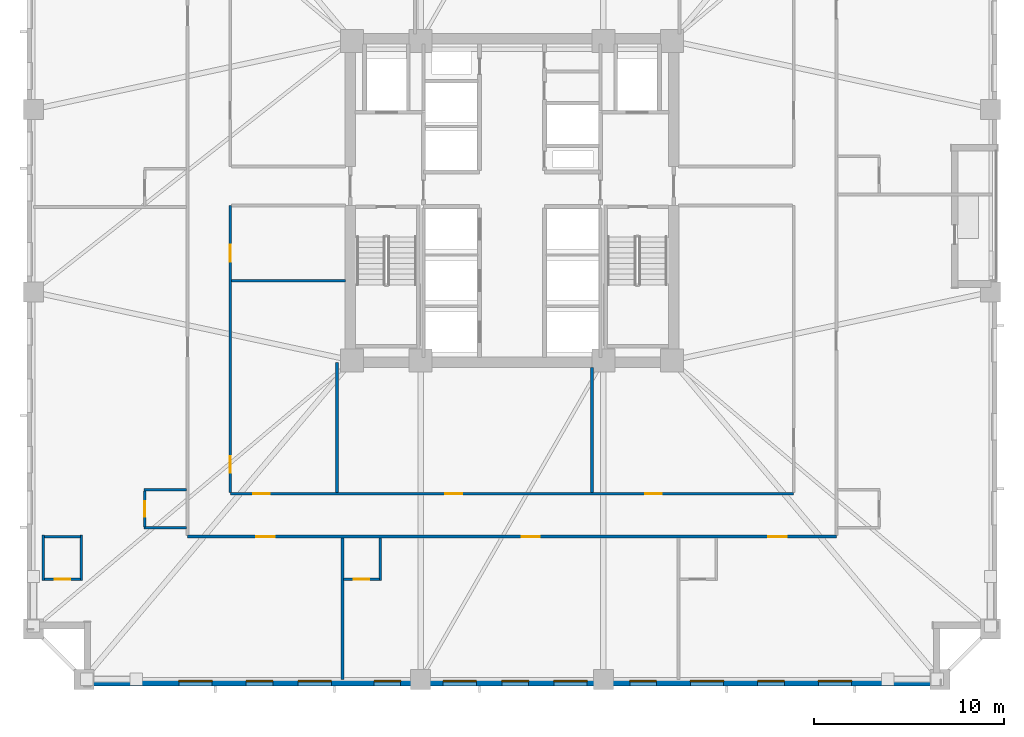
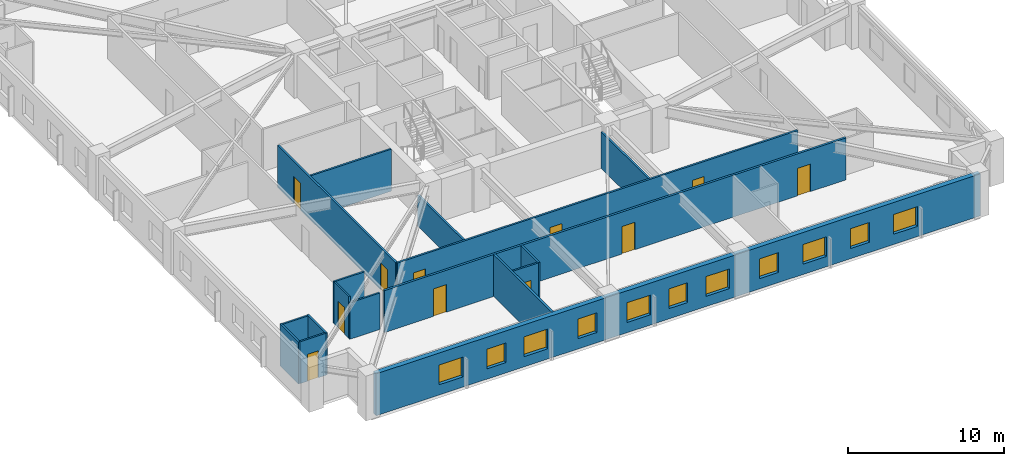
# One storey, part 2 of 11: 17 walls, 11 doors, 11 windows, 22 openings.
"""IFC4 building model written with IfcOpenShell, lengths in metres."""

from ifc_helpers import new_model, si_unit, direction, frame, frame_2d, origin, place, context, subcontext, project, spatial, rectangle, extrude, material, layer, layer_set, type_object, element, fill, save


model = new_model("IFC4")

# Units and contexts
model_context = context("Model", 3, precision=1e-05, world=origin(), true_north=direction((0.0, 1.0)))
body_context = subcontext(model_context, "Body", "Model", "MODEL_VIEW")
ifc_project = project(units=[si_unit("LENGTHUNIT", "METRE"), si_unit("AREAUNIT", "SQUARE_METRE"), si_unit("VOLUMEUNIT", "CUBIC_METRE"), si_unit("PLANEANGLEUNIT", "RADIAN"), si_unit("MASSUNIT", "GRAM", prefix="KILO")], contexts=[model_context])

# Site, building, storey
site_placement = place(None, origin())
site = spatial("IfcSite", under=ifc_project, at=site_placement, CompositionType="ELEMENT")
building_placement = place(site_placement, origin())
building = spatial("IfcBuilding", under=site, at=building_placement, Name="Cairnveth Concourse Tower", CompositionType="ELEMENT")
storey_placement = place(building_placement, frame((0.0, 0.0, 65.5)))
storey = spatial("IfcBuildingStorey", under=building, at=storey_placement, Name="L17", CompositionType="ELEMENT", Elevation=65.5)

# Wall, openings, doors
ifc_material_1 = material(Name="Gypsum Plasterboard Partition", Category="gypsum")
ifc_layer_1 = layer(ifc_material_1, 0.159912109375)
ifc_layer_set_1 = layer_set([ifc_layer_1], Name="Gypsum Plasterboard Partition")
wall_type_1 = type_object("IfcWallType", Name="ACOUSTIC PARTY WALL 180", PredefinedType="PARTITIONING", material=ifc_layer_set_1)
wall_1_placement = place(storey_placement, frame((34.949951171875, 21.35009765625, 0.0), z_axis=(0.0, 0.0, 1.0), x_axis=(1.0, 0.0, 0.0)))
wall_1 = element("IfcWall", 1, at=wall_1_placement, inside=storey, type_object=wall_type_1, Name="Interior Wall IW-L17-038", PredefinedType="PARTITIONING", context=body_context, shape_type="SweptSolid", body=[
    extrude(rectangle(XDim=34.10009765625, YDim=0.159912109375, at=frame_2d((17.050048828125, 0.0))), origin(), (0.0, 0.0, 1.0), 3.280029296875),
])
opening_1_placement = place(wall_1_placement, frame((3.61376953125, 0.0, 0.0)))
opening_1 = element("IfcOpeningElement", 2, at=opening_1_placement, cuts=wall_1, Name="Opening ID09", PredefinedType="OPENING", context=body_context, shape_type="SweptSolid", body=[
    extrude(rectangle(XDim=0.9599609375, YDim=2.14990234375, at=frame_2d((0.47998046875, 1.074951171875))), frame((0.0, 0.08984375, 0.0), z_axis=(0.0, -1.0, 0.0), x_axis=(1.0, 0.0, 0.0)), (0.0, 0.0, 1.0), 0.179931640625),
])
opening_2_placement = place(wall_1_placement, frame((17.56005859375, 0.0, 0.0)))
opening_2 = element("IfcOpeningElement", 3, at=opening_2_placement, cuts=wall_1, Name="Opening ID09", PredefinedType="OPENING", context=body_context, shape_type="SweptSolid", body=[
    extrude(rectangle(XDim=0.9599609375, YDim=2.14990234375, at=frame_2d((0.47998046875, 1.074951171875))), frame((0.0, 0.08984375, 0.0), z_axis=(0.0, -1.0, 0.0), x_axis=(1.0, 0.0, 0.0)), (0.0, 0.0, 1.0), 0.179931640625),
])
opening_3_placement = place(wall_1_placement, frame((30.51611328125, 0.0, 0.0)))
opening_3 = element("IfcOpeningElement", 4, at=opening_3_placement, cuts=wall_1, Name="Opening ID09", PredefinedType="OPENING", context=body_context, shape_type="SweptSolid", body=[
    extrude(rectangle(XDim=0.9599609375, YDim=2.14990234375, at=frame_2d((0.47998046875, 1.074951171875))), frame((0.0, 0.08984375, 0.0), z_axis=(0.0, -1.0, 0.0), x_axis=(1.0, 0.0, 0.0)), (0.0, 0.0, 1.0), 0.179931640625),
])
ifc_material_2 = material(Name="Solid Core Hardwood Timber Leaf", Category="wood")
door_type_1 = type_object("IfcDoorType", Name="HOTEL ENTRANCE DOOR 960X2150", OperationType="NOTDEFINED", PredefinedType="DOOR", material=ifc_material_2)
door_1_placement = place(opening_1_placement, origin())
door_1 = element("IfcDoor", 5, at=door_1_placement, inside=storey, type_object=door_type_1, Name="Hotel Room Door L17-S1", OperationType="SINGLE_SWING_RIGHT", OverallHeight=2.14990234375, OverallWidth=0.9599609375, PredefinedType="DOOR", context=body_context, shape_type="SweptSolid", body=[
    extrude(rectangle(XDim=0.9599609375, YDim=2.14990234375, at=frame_2d((0.47998046875, 1.074951171875))), frame((0.0, 0.02490234375, 0.0), z_axis=(0.0, -1.0, 0.0), x_axis=(1.0, 0.0, 0.0)), (0.0, 0.0, 1.0), 0.050048828125),
])
fill(opening_1, door_1)
door_2_placement = place(opening_2_placement, origin())
door_2 = element("IfcDoor", 6, at=door_2_placement, inside=storey, type_object=door_type_1, Name="Hotel Room Door L17-S2", OperationType="SINGLE_SWING_RIGHT", OverallHeight=2.14990234375, OverallWidth=0.9599609375, PredefinedType="DOOR", context=body_context, shape_type="SweptSolid", body=[
    extrude(rectangle(XDim=0.9599609375, YDim=2.14990234375, at=frame_2d((0.47998046875, 1.074951171875))), frame((0.0, 0.02490234375, 0.0), z_axis=(0.0, -1.0, 0.0), x_axis=(1.0, 0.0, 0.0)), (0.0, 0.0, 1.0), 0.050048828125),
])
fill(opening_2, door_2)
door_3_placement = place(opening_3_placement, origin())
door_3 = element("IfcDoor", 7, at=door_3_placement, inside=storey, type_object=door_type_1, Name="Hotel Room Door L17-S3", OperationType="SINGLE_SWING_RIGHT", OverallHeight=2.14990234375, OverallWidth=0.9599609375, PredefinedType="DOOR", context=body_context, shape_type="SweptSolid", body=[
    extrude(rectangle(XDim=0.9599609375, YDim=2.14990234375, at=frame_2d((0.47998046875, 1.074951171875))), frame((0.0, 0.02490234375, 0.0), z_axis=(0.0, -1.0, 0.0), x_axis=(1.0, 0.0, 0.0)), (0.0, 0.0, 1.0), 0.050048828125),
])
fill(opening_3, door_3)

# Wall
wall_2_placement = place(storey_placement, frame((43.08740234375, 13.844970703125, 0.0), z_axis=(0.0, 0.0, 1.0), x_axis=(0.0, 1.0, 0.0)))
element("IfcWall", 8, at=wall_2_placement, inside=storey, type_object=wall_type_1, Name="Interior Wall IW-L17-061", PredefinedType="PARTITIONING", context=body_context, shape_type="SweptSolid", body=[
    extrude(rectangle(XDim=7.43994140625, YDim=0.159912109375, at=frame_2d((3.719970703125, 0.0))), origin(), (0.0, 0.0, 1.0), 3.280029296875),
])

# Wall, openings, doors
ifc_layer_2 = layer(ifc_material_1, 0.139892578125)
ifc_layer_set_2 = layer_set([ifc_layer_2], Name="Gypsum Plasterboard Partition")
wall_type_2 = type_object("IfcWallType", Name="GYPSUM STUD PARTITION 140", PredefinedType="PARTITIONING", material=ifc_layer_set_2)
wall_3_placement = place(storey_placement, frame((37.199951171875, 23.60009765625, 0.0), z_axis=(0.0, 0.0, 1.0), x_axis=(1.0, 0.0, 0.0)))
wall_3 = element("IfcWall", 9, at=wall_3_placement, inside=storey, type_object=wall_type_2, Name="Interior Wall IW-L17-042", PredefinedType="PARTITIONING", context=body_context, shape_type="SweptSolid", body=[
    extrude(rectangle(XDim=29.60009765625, YDim=0.139892578125, at=frame_2d((14.800048828125, 0.0))), origin(), (0.0, 0.0, 1.0), 3.280029296875),
])
opening_4_placement = place(wall_3_placement, frame((1.199951171875, 0.0, 0.0)))
opening_4 = element("IfcOpeningElement", 10, at=opening_4_placement, cuts=wall_3, Name="Opening ID18", PredefinedType="OPENING", context=body_context, shape_type="SweptSolid", body=[
    extrude(rectangle(XDim=0.8798828125, YDim=2.10009765625, at=frame_2d((0.43994140625, 1.050048828125))), frame((0.0, 0.079833984375, 0.0), z_axis=(0.0, -1.0, 0.0), x_axis=(1.0, 0.0, 0.0)), (0.0, 0.0, 1.0), 0.159912109375),
])
opening_5_placement = place(wall_3_placement, frame((11.300048828125, 0.0, 0.0)))
opening_5 = element("IfcOpeningElement", 11, at=opening_5_placement, cuts=wall_3, Name="Opening ID18", PredefinedType="OPENING", context=body_context, shape_type="SweptSolid", body=[
    extrude(rectangle(XDim=0.8798828125, YDim=2.10009765625, at=frame_2d((0.43994140625, 1.050048828125))), frame((0.0, 0.079833984375, 0.0), z_axis=(0.0, -1.0, 0.0), x_axis=(1.0, 0.0, 0.0)), (0.0, 0.0, 1.0), 0.159912109375),
])
opening_6_placement = place(wall_3_placement, frame((21.800048828125, 0.0, 0.0)))
opening_6 = element("IfcOpeningElement", 12, at=opening_6_placement, cuts=wall_3, Name="Opening ID18", PredefinedType="OPENING", context=body_context, shape_type="SweptSolid", body=[
    extrude(rectangle(XDim=0.8798828125, YDim=2.10009765625, at=frame_2d((0.43994140625, 1.050048828125))), frame((0.0, 0.079833984375, 0.0), z_axis=(0.0, -1.0, 0.0), x_axis=(1.0, 0.0, 0.0)), (0.0, 0.0, 1.0), 0.159912109375),
])
door_type_2 = type_object("IfcDoorType", Name="INTERIOR SINGLE DOOR 880X2100", OperationType="NOTDEFINED", PredefinedType="DOOR", material=ifc_material_2)
door_4_placement = place(opening_4_placement, origin())
door_4 = element("IfcDoor", 13, at=door_4_placement, inside=storey, type_object=door_type_2, Name="Interior Door DR-L17-014", OperationType="SINGLE_SWING_RIGHT", OverallHeight=2.10009765625, OverallWidth=0.8798828125, PredefinedType="DOOR", context=body_context, shape_type="SweptSolid", body=[
    extrude(rectangle(XDim=0.8798828125, YDim=2.10009765625, at=frame_2d((0.43994140625, 1.050048828125))), frame((0.0, 0.02490234375, 0.0), z_axis=(0.0, -1.0, 0.0), x_axis=(1.0, 0.0, 0.0)), (0.0, 0.0, 1.0), 0.050048828125),
])
fill(opening_4, door_4)
door_5_placement = place(opening_5_placement, origin())
door_5 = element("IfcDoor", 14, at=door_5_placement, inside=storey, type_object=door_type_2, Name="Interior Door DR-L17-015", OperationType="SINGLE_SWING_LEFT", OverallHeight=2.10009765625, OverallWidth=0.8798828125, PredefinedType="DOOR", context=body_context, shape_type="SweptSolid", body=[
    extrude(rectangle(XDim=0.8798828125, YDim=2.10009765625, at=frame_2d((0.43994140625, 1.050048828125))), frame((0.0, 0.02490234375, 0.0), z_axis=(0.0, -1.0, 0.0), x_axis=(1.0, 0.0, 0.0)), (0.0, 0.0, 1.0), 0.050048828125),
])
fill(opening_5, door_5)
door_6_placement = place(opening_6_placement, origin())
door_6 = element("IfcDoor", 15, at=door_6_placement, inside=storey, type_object=door_type_2, Name="Interior Door DR-L17-016", OperationType="SINGLE_SWING_RIGHT", OverallHeight=2.10009765625, OverallWidth=0.8798828125, PredefinedType="DOOR", context=body_context, shape_type="SweptSolid", body=[
    extrude(rectangle(XDim=0.8798828125, YDim=2.10009765625, at=frame_2d((0.43994140625, 1.050048828125))), frame((0.0, 0.02490234375, 0.0), z_axis=(0.0, -1.0, 0.0), x_axis=(1.0, 0.0, 0.0)), (0.0, 0.0, 1.0), 0.050048828125),
])
fill(opening_6, door_6)

wall_4_placement = place(storey_placement, frame((37.199951171875, 23.655029296875, 0.0), z_axis=(0.0, 0.0, 1.0), x_axis=(0.0, 1.0, 0.0)))
wall_4 = element("IfcWall", 16, at=wall_4_placement, inside=storey, type_object=wall_type_2, Name="Interior Wall IW-L17-044", PredefinedType="PARTITIONING", context=body_context, shape_type="SweptSolid", body=[
    extrude(rectangle(XDim=15.094970703125, YDim=0.139892578125, at=frame_2d((7.54736328125, 0.0))), origin(), (0.0, 0.0, 1.0), 3.280029296875),
])
opening_7_placement = place(wall_4_placement, frame((1.044921875, 0.0, 0.0)))
opening_7 = element("IfcOpeningElement", 17, at=opening_7_placement, cuts=wall_4, Name="Opening ID18", PredefinedType="OPENING", context=body_context, shape_type="SweptSolid", body=[
    extrude(rectangle(XDim=0.8798828125, YDim=2.10009765625, at=frame_2d((0.43994140625, 1.050048828125))), frame((0.0, 0.079833984375, 0.0), z_axis=(0.0, -1.0, 0.0), x_axis=(1.0, 0.0, 0.0)), (0.0, 0.0, 1.0), 0.159912109375),
])
opening_8_placement = place(wall_4_placement, frame((12.14501953125, 0.0, 0.0)))
opening_8 = element("IfcOpeningElement", 18, at=opening_8_placement, cuts=wall_4, Name="Opening ID18", PredefinedType="OPENING", context=body_context, shape_type="SweptSolid", body=[
    extrude(rectangle(XDim=0.8798828125, YDim=2.10009765625, at=frame_2d((0.43994140625, 1.050048828125))), frame((0.0, 0.079833984375, 0.0), z_axis=(0.0, -1.0, 0.0), x_axis=(1.0, 0.0, 0.0)), (0.0, 0.0, 1.0), 0.159912109375),
])
door_7_placement = place(opening_7_placement, origin())
door_7 = element("IfcDoor", 19, at=door_7_placement, inside=storey, type_object=door_type_2, Name="Interior Door DR-L17-020", OperationType="SINGLE_SWING_RIGHT", OverallHeight=2.10009765625, OverallWidth=0.8798828125, PredefinedType="DOOR", context=body_context, shape_type="SweptSolid", body=[
    extrude(rectangle(XDim=0.8798828125, YDim=2.10009765625, at=frame_2d((0.43994140625, 1.050048828125))), frame((0.0, 0.02490234375, 0.0), z_axis=(0.0, -1.0, 0.0), x_axis=(1.0, 0.0, 0.0)), (0.0, 0.0, 1.0), 0.050048828125),
])
fill(opening_7, door_7)
door_8_placement = place(opening_8_placement, origin())
door_8 = element("IfcDoor", 20, at=door_8_placement, inside=storey, type_object=door_type_2, Name="Interior Door DR-L17-021", OperationType="SINGLE_SWING_LEFT", OverallHeight=2.10009765625, OverallWidth=0.8798828125, PredefinedType="DOOR", context=body_context, shape_type="SweptSolid", body=[
    extrude(rectangle(XDim=0.8798828125, YDim=2.10009765625, at=frame_2d((0.43994140625, 1.050048828125))), frame((0.0, 0.02490234375, 0.0), z_axis=(0.0, -1.0, 0.0), x_axis=(1.0, 0.0, 0.0)), (0.0, 0.0, 1.0), 0.050048828125),
])
fill(opening_8, door_8)

# Walls
wall_5_placement = place(storey_placement, frame((42.800048828125, 23.655029296875, 0.0), z_axis=(0.0, 0.0, 1.0), x_axis=(0.0, 1.0, 0.0)))
element("IfcWall", 21, at=wall_5_placement, inside=storey, type_object=wall_type_2, Name="Interior Wall IW-L17-052", PredefinedType="PARTITIONING", context=body_context, shape_type="SweptSolid", body=[
    extrude(rectangle(XDim=6.844970703125, YDim=0.139892578125, at=frame_2d((3.42236328125, 0.0))), origin(), (0.0, 0.0, 1.0), 2.43896484375),
])
wall_6_placement = place(storey_placement, frame((56.199951171875, 23.655029296875, 0.0), z_axis=(0.0, 0.0, 1.0), x_axis=(0.0, 1.0, 0.0)))
element("IfcWall", 22, at=wall_6_placement, inside=storey, type_object=wall_type_2, Name="Interior Wall IW-L17-053", PredefinedType="PARTITIONING", context=body_context, shape_type="SweptSolid", body=[
    extrude(rectangle(XDim=6.5849609375, YDim=0.139892578125, at=frame_2d((3.29248046875, 0.0))), origin(), (0.0, 0.0, 1.0), 2.84912109375),
])
wall_7_placement = place(storey_placement, frame((37.2548828125, 34.800048828125, 0.0), z_axis=(0.0, 0.0, 1.0), x_axis=(1.0, 0.0, 0.0)))
element("IfcWall", 23, at=wall_7_placement, inside=storey, type_object=wall_type_2, Name="Interior Wall IW-L17-056", PredefinedType="PARTITIONING", context=body_context, shape_type="SweptSolid", body=[
    extrude(rectangle(XDim=5.985107421875, YDim=0.139892578125, at=frame_2d((2.99267578125, 0.0))), origin(), (0.0, 0.0, 1.0), 3.280029296875),
])
ifc_layer_3 = layer(ifc_material_1, 0.1298828125)
ifc_layer_set_3 = layer_set([ifc_layer_3], Name="Gypsum Plasterboard Partition")
wall_type_3 = type_object("IfcWallType", Name="WET AREA PARTITION 140", PredefinedType="PLUMBINGWALL", material=ifc_layer_set_3)
for number, where, z_axis, x_axis, name in (
    (24, (27.3701171875, 19.050048828125, 0.0), (0.0, 0.0, 1.0), (0.0, 1.0, 0.0), "Interior Wall IW-L17-057"),
    (25, (29.3701171875, 19.050048828125, 0.0), (0.0, 0.0, 1.0), (0.0, 1.0, 0.0), "Interior Wall IW-L17-058"),
):
    element("IfcWall", number, at=place(storey_placement, frame(where, z_axis=z_axis, x_axis=x_axis)), inside=storey, type_object=wall_type_3, Name=name, PredefinedType="PLUMBINGWALL", context=body_context, shape_type="SweptSolid", body=[
        extrude(rectangle(XDim=2.3798828125, YDim=0.1298828125, at=frame_2d((1.18994140625, 0.0))), origin(), (0.0, 0.0, 1.0), 3.280029296875),
    ])

# Wall, opening, door
wall_8_placement = place(storey_placement, frame((27.419921875, 19.10009765625, 0.0), z_axis=(0.0, 0.0, 1.0), x_axis=(1.0, 0.0, 0.0)))
wall_8 = element("IfcWall", 26, at=wall_8_placement, inside=storey, type_object=wall_type_3, Name="Interior Wall IW-L17-059", PredefinedType="PLUMBINGWALL", context=body_context, shape_type="SweptSolid", body=[
    extrude(rectangle(XDim=1.900146484375, YDim=0.1298828125, at=frame_2d((0.9501953125, 0.0))), origin(), (0.0, 0.0, 1.0), 3.280029296875),
])
opening_9_placement = place(wall_8_placement, frame((0.5400390625, 0.0, 0.0)))
opening_9 = element("IfcOpeningElement", 27, at=opening_9_placement, cuts=wall_8, Name="Opening ID22", PredefinedType="OPENING", context=body_context, shape_type="SweptSolid", body=[
    extrude(rectangle(XDim=0.820068359375, YDim=2.10009765625, at=frame_2d((0.41015625, 1.050048828125))), frame((0.0, 0.074951171875, 0.0), z_axis=(0.0, -1.0, 0.0), x_axis=(1.0, 0.0, 0.0)), (0.0, 0.0, 1.0), 0.14990234375),
])
door_type_3 = type_object("IfcDoorType", Name="INTERIOR WC DOOR 820X2100", OperationType="NOTDEFINED", PredefinedType="DOOR", material=ifc_material_2)
door_9_placement = place(opening_9_placement, origin())
door_9 = element("IfcDoor", 28, at=door_9_placement, inside=storey, type_object=door_type_3, Name="En-Suite Door L17-S1", OperationType="SINGLE_SWING_LEFT", OverallHeight=2.10009765625, OverallWidth=0.820068359375, PredefinedType="DOOR", context=body_context, shape_type="SweptSolid", body=[
    extrude(rectangle(XDim=0.820068359375, YDim=2.10009765625, at=frame_2d((0.41015625, 1.050048828125))), frame((0.0, 0.02490234375, 0.0), z_axis=(0.0, -1.0, 0.0), x_axis=(1.0, 0.0, 0.0)), (0.0, 0.0, 1.0), 0.050048828125),
])
fill(opening_9, door_9)

# Walls
wall_9_placement = place(storey_placement, frame((27.419921875, 21.35009765625, 0.0), z_axis=(0.0, 0.0, 1.0), x_axis=(1.0, 0.0, 0.0)))
element("IfcWall", 29, at=wall_9_placement, inside=storey, type_object=wall_type_3, Name="Interior Wall IW-L17-060", PredefinedType="PLUMBINGWALL", context=body_context, shape_type="SweptSolid", body=[
    extrude(rectangle(XDim=1.900146484375, YDim=0.1298828125, at=frame_2d((0.9501953125, 0.0))), origin(), (0.0, 0.0, 1.0), 3.280029296875),
])
wall_10_placement = place(storey_placement, frame((45.08740234375, 19.050048828125, 0.0), z_axis=(0.0, 0.0, 1.0), x_axis=(0.0, 1.0, 0.0)))
element("IfcWall", 30, at=wall_10_placement, inside=storey, type_object=wall_type_3, Name="Interior Wall IW-L17-062", PredefinedType="PLUMBINGWALL", context=body_context, shape_type="SweptSolid", body=[
    extrude(rectangle(XDim=2.23486328125, YDim=0.1298828125, at=frame_2d((1.117431640625, 0.0))), origin(), (0.0, 0.0, 1.0), 3.280029296875),
])

# Wall, opening, door
wall_11_placement = place(storey_placement, frame((43.152587890625, 19.10009765625, 0.0), z_axis=(0.0, 0.0, 1.0), x_axis=(1.0, 0.0, 0.0)))
wall_11 = element("IfcWall", 31, at=wall_11_placement, inside=storey, type_object=wall_type_3, Name="Interior Wall IW-L17-063", PredefinedType="PLUMBINGWALL", context=body_context, shape_type="SweptSolid", body=[
    extrude(rectangle(XDim=1.885009765625, YDim=0.1298828125, at=frame_2d((0.9423828125, 0.0))), origin(), (0.0, 0.0, 1.0), 3.280029296875),
])
opening_10_placement = place(wall_11_placement, frame((0.52490234375, 0.0, 0.0)))
opening_10 = element("IfcOpeningElement", 32, at=opening_10_placement, cuts=wall_11, Name="Opening ID22", PredefinedType="OPENING", context=body_context, shape_type="SweptSolid", body=[
    extrude(rectangle(XDim=0.820068359375, YDim=2.10009765625, at=frame_2d((0.41015625, 1.050048828125))), frame((0.0, 0.074951171875, 0.0), z_axis=(0.0, -1.0, 0.0), x_axis=(1.0, 0.0, 0.0)), (0.0, 0.0, 1.0), 0.14990234375),
])
door_10_placement = place(opening_10_placement, origin())
door_10 = element("IfcDoor", 33, at=door_10_placement, inside=storey, type_object=door_type_3, Name="En-Suite Door L17-S2", OperationType="SINGLE_SWING_LEFT", OverallHeight=2.10009765625, OverallWidth=0.820068359375, PredefinedType="DOOR", context=body_context, shape_type="SweptSolid", body=[
    extrude(rectangle(XDim=0.820068359375, YDim=2.10009765625, at=frame_2d((0.41015625, 1.050048828125))), frame((0.0, 0.02490234375, 0.0), z_axis=(0.0, -1.0, 0.0), x_axis=(1.0, 0.0, 0.0)), (0.0, 0.0, 1.0), 0.050048828125),
])
fill(opening_10, door_10)

# Walls
wall_12_placement = place(storey_placement, frame((32.64990234375, 21.800048828125, 0.0), z_axis=(0.0, 0.0, 1.0), x_axis=(1.0, 0.0, 0.0)))
element("IfcWall", 34, at=wall_12_placement, inside=storey, type_object=wall_type_3, Name="Interior Wall IW-L17-077", PredefinedType="PLUMBINGWALL", context=body_context, shape_type="SweptSolid", body=[
    extrude(rectangle(XDim=2.235107421875, YDim=0.1298828125, at=frame_2d((1.11767578125, 0.0))), origin(), (0.0, 0.0, 1.0), 2.84912109375),
])
wall_13_placement = place(storey_placement, frame((32.64990234375, 23.800048828125, 0.0), z_axis=(0.0, 0.0, 1.0), x_axis=(1.0, 0.0, 0.0)))
element("IfcWall", 35, at=wall_13_placement, inside=storey, type_object=wall_type_3, Name="Interior Wall IW-L17-078", PredefinedType="PLUMBINGWALL", context=body_context, shape_type="SweptSolid", body=[
    extrude(rectangle(XDim=2.235107421875, YDim=0.1298828125, at=frame_2d((1.11767578125, 0.0))), origin(), (0.0, 0.0, 1.0), 3.280029296875),
])

# Wall, opening, door
wall_14_placement = place(storey_placement, frame((32.699951171875, 21.85009765625, 0.0), z_axis=(0.0, 0.0, 1.0), x_axis=(0.0, 1.0, 0.0)))
wall_14 = element("IfcWall", 36, at=wall_14_placement, inside=storey, type_object=wall_type_3, Name="Interior Wall IW-L17-079", PredefinedType="PLUMBINGWALL", context=body_context, shape_type="SweptSolid", body=[
    extrude(rectangle(XDim=1.89990234375, YDim=0.1298828125, at=frame_2d((0.949951171875, 0.0))), origin(), (0.0, 0.0, 1.0), 3.280029296875),
])
opening_11_placement = place(wall_14_placement, frame((0.5400390625, 0.0, 0.0)))
opening_11 = element("IfcOpeningElement", 37, at=opening_11_placement, cuts=wall_14, Name="Opening ID22", PredefinedType="OPENING", context=body_context, shape_type="SweptSolid", body=[
    extrude(rectangle(XDim=0.820068359375, YDim=2.10009765625, at=frame_2d((0.41015625, 1.050048828125))), frame((0.0, 0.074951171875, 0.0), z_axis=(0.0, -1.0, 0.0), x_axis=(1.0, 0.0, 0.0)), (0.0, 0.0, 1.0), 0.14990234375),
])
door_11_placement = place(opening_11_placement, origin())
door_11 = element("IfcDoor", 38, at=door_11_placement, inside=storey, type_object=door_type_3, Name="En-Suite Door L17-W1", OperationType="SINGLE_SWING_LEFT", OverallHeight=2.10009765625, OverallWidth=0.820068359375, PredefinedType="DOOR", context=body_context, shape_type="SweptSolid", body=[
    extrude(rectangle(XDim=0.820068359375, YDim=2.10009765625, at=frame_2d((0.41015625, 1.050048828125))), frame((0.0, 0.02490234375, 0.0), z_axis=(0.0, -1.0, 0.0), x_axis=(1.0, 0.0, 0.0)), (0.0, 0.0, 1.0), 0.050048828125),
])
fill(opening_11, door_11)

# Wall, openings, windows
ifc_material_3 = material(Name="Hawthorn Red-Ochre Fired Clay Brick Masonry", Category="masonry")
ifc_layer_4 = layer(ifc_material_3, 0.360107421875)
ifc_layer_set_4 = layer_set([ifc_layer_4], Name="Hawthorn Red-Ochre Fired Clay Brick Masonry")
wall_type_4 = type_object("IfcWallType", Name="ZONE 1 BRICK PIER SPANDREL WALL 360", PredefinedType="SOLIDWALL", material=ifc_layer_set_4)
wall_15_placement = place(storey_placement, frame((74.5, 13.679931640625, 0.0), z_axis=(0.0, 0.0, 1.0), x_axis=(-1.0, 0.0, 0.0)))
wall_15 = element("IfcWall", 39, at=wall_15_placement, inside=storey, type_object=wall_type_4, Name="Exterior Wall EW-L17-S03", PredefinedType="SOLIDWALL", context=body_context, shape_type="SweptSolid", body=[
    extrude(rectangle(XDim=44.662109375, YDim=0.360107421875, at=frame_2d((22.3310546875, 0.0))), origin(), (0.0, 0.0, 1.0), 3.280029296875),
])
opening_12_placement = place(wall_15_placement, frame((4.655029296875, 0.0, 0.800048828125)))
opening_12 = element("IfcOpeningElement", 40, at=opening_12_placement, cuts=wall_15, Name="Opening W06", PredefinedType="OPENING", context=body_context, shape_type="SweptSolid", body=[
    extrude(rectangle(XDim=1.75, YDim=1.5439453125, at=frame_2d((0.875, 0.77197265625))), frame((0.0, 0.18994140625, 0.0), z_axis=(0.0, -1.0, 0.0), x_axis=(1.0, 0.0, 0.0)), (0.0, 0.0, 1.0), 0.380126953125),
])
opening_13_placement = place(wall_15_placement, frame((8.190185546875, 0.0, 0.800048828125)))
opening_13 = element("IfcOpeningElement", 41, at=opening_13_placement, cuts=wall_15, Name="Opening W05", PredefinedType="OPENING", context=body_context, shape_type="SweptSolid", body=[
    extrude(rectangle(XDim=1.39990234375, YDim=1.5439453125, at=frame_2d((0.699951171875, 0.77197265625))), frame((0.0, 0.18994140625, 0.0), z_axis=(0.0, -1.0, 0.0), x_axis=(1.0, 0.0, 0.0)), (0.0, 0.0, 1.0), 0.380126953125),
])
opening_14_placement = place(wall_15_placement, frame((11.37548828125, 0.0, 0.800048828125)))
opening_14 = element("IfcOpeningElement", 42, at=opening_14_placement, cuts=wall_15, Name="Opening W06", PredefinedType="OPENING", context=body_context, shape_type="SweptSolid", body=[
    extrude(rectangle(XDim=1.75, YDim=1.5439453125, at=frame_2d((0.875, 0.77197265625))), frame((0.0, 0.18994140625, 0.0), z_axis=(0.0, -1.0, 0.0), x_axis=(1.0, 0.0, 0.0)), (0.0, 0.0, 1.0), 0.380126953125),
])
opening_15_placement = place(wall_15_placement, frame((14.91064453125, 0.0, 0.800048828125)))
opening_15 = element("IfcOpeningElement", 43, at=opening_15_placement, cuts=wall_15, Name="Opening W05", PredefinedType="OPENING", context=body_context, shape_type="SweptSolid", body=[
    extrude(rectangle(XDim=1.39990234375, YDim=1.5439453125, at=frame_2d((0.699951171875, 0.77197265625))), frame((0.0, 0.18994140625, 0.0), z_axis=(0.0, -1.0, 0.0), x_axis=(1.0, 0.0, 0.0)), (0.0, 0.0, 1.0), 0.380126953125),
])
opening_16_placement = place(wall_15_placement, frame((18.5458984375, 0.0, 0.800048828125)))
opening_16 = element("IfcOpeningElement", 44, at=opening_16_placement, cuts=wall_15, Name="Opening W06", PredefinedType="OPENING", context=body_context, shape_type="SweptSolid", body=[
    extrude(rectangle(XDim=1.75, YDim=1.5439453125, at=frame_2d((0.875, 0.77197265625))), frame((0.0, 0.18994140625, 0.0), z_axis=(0.0, -1.0, 0.0), x_axis=(1.0, 0.0, 0.0)), (0.0, 0.0, 1.0), 0.380126953125),
])
opening_17_placement = place(wall_15_placement, frame((21.631103515625, 0.0, 0.800048828125)))
opening_17 = element("IfcOpeningElement", 45, at=opening_17_placement, cuts=wall_15, Name="Opening W05", PredefinedType="OPENING", context=body_context, shape_type="SweptSolid", body=[
    extrude(rectangle(XDim=1.39990234375, YDim=1.5439453125, at=frame_2d((0.699951171875, 0.77197265625))), frame((0.0, 0.18994140625, 0.0), z_axis=(0.0, -1.0, 0.0), x_axis=(1.0, 0.0, 0.0)), (0.0, 0.0, 1.0), 0.380126953125),
])
opening_18_placement = place(wall_15_placement, frame((24.3662109375, 0.0, 0.800048828125)))
opening_18 = element("IfcOpeningElement", 46, at=opening_18_placement, cuts=wall_15, Name="Opening W06", PredefinedType="OPENING", context=body_context, shape_type="SweptSolid", body=[
    extrude(rectangle(XDim=1.75, YDim=1.5439453125, at=frame_2d((0.875, 0.77197265625))), frame((0.0, 0.18994140625, 0.0), z_axis=(0.0, -1.0, 0.0), x_axis=(1.0, 0.0, 0.0)), (0.0, 0.0, 1.0), 0.380126953125),
])
opening_19_placement = place(wall_15_placement, frame((28.351318359375, 0.0, 0.800048828125)))
opening_19 = element("IfcOpeningElement", 47, at=opening_19_placement, cuts=wall_15, Name="Opening W05", PredefinedType="OPENING", context=body_context, shape_type="SweptSolid", body=[
    extrude(rectangle(XDim=1.39990234375, YDim=1.5439453125, at=frame_2d((0.699951171875, 0.77197265625))), frame((0.0, 0.18994140625, 0.0), z_axis=(0.0, -1.0, 0.0), x_axis=(1.0, 0.0, 0.0)), (0.0, 0.0, 1.0), 0.380126953125),
])
opening_20_placement = place(wall_15_placement, frame((31.986572265625, 0.0, 0.800048828125)))
opening_20 = element("IfcOpeningElement", 48, at=opening_20_placement, cuts=wall_15, Name="Opening W06", PredefinedType="OPENING", context=body_context, shape_type="SweptSolid", body=[
    extrude(rectangle(XDim=1.75, YDim=1.5439453125, at=frame_2d((0.875, 0.77197265625))), frame((0.0, 0.18994140625, 0.0), z_axis=(0.0, -1.0, 0.0), x_axis=(1.0, 0.0, 0.0)), (0.0, 0.0, 1.0), 0.380126953125),
])
opening_21_placement = place(wall_15_placement, frame((35.07177734375, 0.0, 0.800048828125)))
opening_21 = element("IfcOpeningElement", 49, at=opening_21_placement, cuts=wall_15, Name="Opening W05", PredefinedType="OPENING", context=body_context, shape_type="SweptSolid", body=[
    extrude(rectangle(XDim=1.39990234375, YDim=1.5439453125, at=frame_2d((0.699951171875, 0.77197265625))), frame((0.0, 0.18994140625, 0.0), z_axis=(0.0, -1.0, 0.0), x_axis=(1.0, 0.0, 0.0)), (0.0, 0.0, 1.0), 0.380126953125),
])
opening_22_placement = place(wall_15_placement, frame((38.2568359375, 0.0, 0.800048828125)))
opening_22 = element("IfcOpeningElement", 50, at=opening_22_placement, cuts=wall_15, Name="Opening W06", PredefinedType="OPENING", context=body_context, shape_type="SweptSolid", body=[
    extrude(rectangle(XDim=1.75, YDim=1.5439453125, at=frame_2d((0.875, 0.77197265625))), frame((0.0, 0.18994140625, 0.0), z_axis=(0.0, -1.0, 0.0), x_axis=(1.0, 0.0, 0.0)), (0.0, 0.0, 1.0), 0.380126953125),
])
ifc_material_4 = material(Name="Double Glazed Low-E Clear Glass", Category="glass")
window_type_1 = type_object("IfcWindowType", Name="DEEP-SET HOTEL CASEMENT WINDOW 1400X1750", PartitioningType="DOUBLE_PANEL_VERTICAL", PredefinedType="WINDOW", material=ifc_material_4)
window_1_placement = place(opening_13_placement, origin())
window_1 = element("IfcWindow", 51, at=window_1_placement, inside=storey, type_object=window_type_1, Name="Gothic Lancet Window L17-3-2", OverallHeight=1.5439453125, OverallWidth=1.39990234375, PartitioningType="SINGLE_PANEL", PredefinedType="WINDOW", context=body_context, shape_type="SweptSolid", body=[
    extrude(rectangle(XDim=1.39990234375, YDim=1.5439453125, at=frame_2d((0.699951171875, 0.77197265625))), frame((0.0, -0.050048828125, 0.0), z_axis=(0.0, -1.0, 0.0), x_axis=(1.0, 0.0, 0.0)), (0.0, 0.0, 1.0), 0.06005859375),
])
fill(opening_13, window_1)
window_2_placement = place(opening_15_placement, origin())
window_2 = element("IfcWindow", 52, at=window_2_placement, inside=storey, type_object=window_type_1, Name="Gothic Lancet Window L17-3-4", OverallHeight=1.5439453125, OverallWidth=1.39990234375, PartitioningType="SINGLE_PANEL", PredefinedType="WINDOW", context=body_context, shape_type="SweptSolid", body=[
    extrude(rectangle(XDim=1.39990234375, YDim=1.5439453125, at=frame_2d((0.699951171875, 0.77197265625))), frame((0.0, -0.050048828125, 0.0), z_axis=(0.0, -1.0, 0.0), x_axis=(1.0, 0.0, 0.0)), (0.0, 0.0, 1.0), 0.06005859375),
])
fill(opening_15, window_2)
window_3_placement = place(opening_17_placement, origin())
window_3 = element("IfcWindow", 53, at=window_3_placement, inside=storey, type_object=window_type_1, Name="Gothic Lancet Window L17-3-6", OverallHeight=1.5439453125, OverallWidth=1.39990234375, PartitioningType="SINGLE_PANEL", PredefinedType="WINDOW", context=body_context, shape_type="SweptSolid", body=[
    extrude(rectangle(XDim=1.39990234375, YDim=1.5439453125, at=frame_2d((0.699951171875, 0.77197265625))), frame((0.0, -0.050048828125, 0.0), z_axis=(0.0, -1.0, 0.0), x_axis=(1.0, 0.0, 0.0)), (0.0, 0.0, 1.0), 0.06005859375),
])
fill(opening_17, window_3)
window_4_placement = place(opening_19_placement, origin())
window_4 = element("IfcWindow", 54, at=window_4_placement, inside=storey, type_object=window_type_1, Name="Gothic Lancet Window L17-3-8", OverallHeight=1.5439453125, OverallWidth=1.39990234375, PartitioningType="SINGLE_PANEL", PredefinedType="WINDOW", context=body_context, shape_type="SweptSolid", body=[
    extrude(rectangle(XDim=1.39990234375, YDim=1.5439453125, at=frame_2d((0.699951171875, 0.77197265625))), frame((0.0, -0.050048828125, 0.0), z_axis=(0.0, -1.0, 0.0), x_axis=(1.0, 0.0, 0.0)), (0.0, 0.0, 1.0), 0.06005859375),
])
fill(opening_19, window_4)
window_5_placement = place(opening_21_placement, origin())
window_5 = element("IfcWindow", 55, at=window_5_placement, inside=storey, type_object=window_type_1, Name="Gothic Lancet Window L17-3-10", OverallHeight=1.5439453125, OverallWidth=1.39990234375, PartitioningType="SINGLE_PANEL", PredefinedType="WINDOW", context=body_context, shape_type="SweptSolid", body=[
    extrude(rectangle(XDim=1.39990234375, YDim=1.5439453125, at=frame_2d((0.699951171875, 0.77197265625))), frame((0.0, -0.050048828125, 0.0), z_axis=(0.0, -1.0, 0.0), x_axis=(1.0, 0.0, 0.0)), (0.0, 0.0, 1.0), 0.06005859375),
])
fill(opening_21, window_5)
window_type_2 = type_object("IfcWindowType", Name="DEEP-SET HOTEL SUITE WINDOW 1750X1800", PartitioningType="DOUBLE_PANEL_VERTICAL", PredefinedType="WINDOW", material=ifc_material_4)
window_6_placement = place(opening_12_placement, origin())
window_6 = element("IfcWindow", 56, at=window_6_placement, inside=storey, type_object=window_type_2, Name="Gothic Lancet Window L17-3-1", OverallHeight=1.5439453125, OverallWidth=1.75, PartitioningType="SINGLE_PANEL", PredefinedType="WINDOW", context=body_context, shape_type="SweptSolid", body=[
    extrude(rectangle(XDim=1.75, YDim=1.5439453125, at=frame_2d((0.875, 0.77197265625))), frame((0.0, -0.050048828125, 0.0), z_axis=(0.0, -1.0, 0.0), x_axis=(1.0, 0.0, 0.0)), (0.0, 0.0, 1.0), 0.06005859375),
])
fill(opening_12, window_6)
window_7_placement = place(opening_14_placement, origin())
window_7 = element("IfcWindow", 57, at=window_7_placement, inside=storey, type_object=window_type_2, Name="Gothic Lancet Window L17-3-3", OverallHeight=1.5439453125, OverallWidth=1.75, PartitioningType="SINGLE_PANEL", PredefinedType="WINDOW", context=body_context, shape_type="SweptSolid", body=[
    extrude(rectangle(XDim=1.75, YDim=1.5439453125, at=frame_2d((0.875, 0.77197265625))), frame((0.0, -0.050048828125, 0.0), z_axis=(0.0, -1.0, 0.0), x_axis=(1.0, 0.0, 0.0)), (0.0, 0.0, 1.0), 0.06005859375),
])
fill(opening_14, window_7)
window_8_placement = place(opening_16_placement, origin())
window_8 = element("IfcWindow", 58, at=window_8_placement, inside=storey, type_object=window_type_2, Name="Gothic Lancet Window L17-3-5", OverallHeight=1.5439453125, OverallWidth=1.75, PartitioningType="SINGLE_PANEL", PredefinedType="WINDOW", context=body_context, shape_type="SweptSolid", body=[
    extrude(rectangle(XDim=1.75, YDim=1.5439453125, at=frame_2d((0.875, 0.77197265625))), frame((0.0, -0.050048828125, 0.0), z_axis=(0.0, -1.0, 0.0), x_axis=(1.0, 0.0, 0.0)), (0.0, 0.0, 1.0), 0.06005859375),
])
fill(opening_16, window_8)
window_9_placement = place(opening_18_placement, origin())
window_9 = element("IfcWindow", 59, at=window_9_placement, inside=storey, type_object=window_type_2, Name="Gothic Lancet Window L17-3-7", OverallHeight=1.5439453125, OverallWidth=1.75, PartitioningType="SINGLE_PANEL", PredefinedType="WINDOW", context=body_context, shape_type="SweptSolid", body=[
    extrude(rectangle(XDim=1.75, YDim=1.5439453125, at=frame_2d((0.875, 0.77197265625))), frame((0.0, -0.050048828125, 0.0), z_axis=(0.0, -1.0, 0.0), x_axis=(1.0, 0.0, 0.0)), (0.0, 0.0, 1.0), 0.06005859375),
])
fill(opening_18, window_9)
window_10_placement = place(opening_20_placement, origin())
window_10 = element("IfcWindow", 60, at=window_10_placement, inside=storey, type_object=window_type_2, Name="Gothic Lancet Window L17-3-9", OverallHeight=1.5439453125, OverallWidth=1.75, PartitioningType="SINGLE_PANEL", PredefinedType="WINDOW", context=body_context, shape_type="SweptSolid", body=[
    extrude(rectangle(XDim=1.75, YDim=1.5439453125, at=frame_2d((0.875, 0.77197265625))), frame((0.0, -0.050048828125, 0.0), z_axis=(0.0, -1.0, 0.0), x_axis=(1.0, 0.0, 0.0)), (0.0, 0.0, 1.0), 0.06005859375),
])
fill(opening_20, window_10)
window_11_placement = place(opening_22_placement, origin())
window_11 = element("IfcWindow", 61, at=window_11_placement, inside=storey, type_object=window_type_2, Name="Gothic Lancet Window L17-3-11", OverallHeight=1.5439453125, OverallWidth=1.75, PartitioningType="SINGLE_PANEL", PredefinedType="WINDOW", context=body_context, shape_type="SweptSolid", body=[
    extrude(rectangle(XDim=1.75, YDim=1.5439453125, at=frame_2d((0.875, 0.77197265625))), frame((0.0, -0.050048828125, 0.0), z_axis=(0.0, -1.0, 0.0), x_axis=(1.0, 0.0, 0.0)), (0.0, 0.0, 1.0), 0.06005859375),
])
fill(opening_22, window_11)

save(model, "model.ifc")
